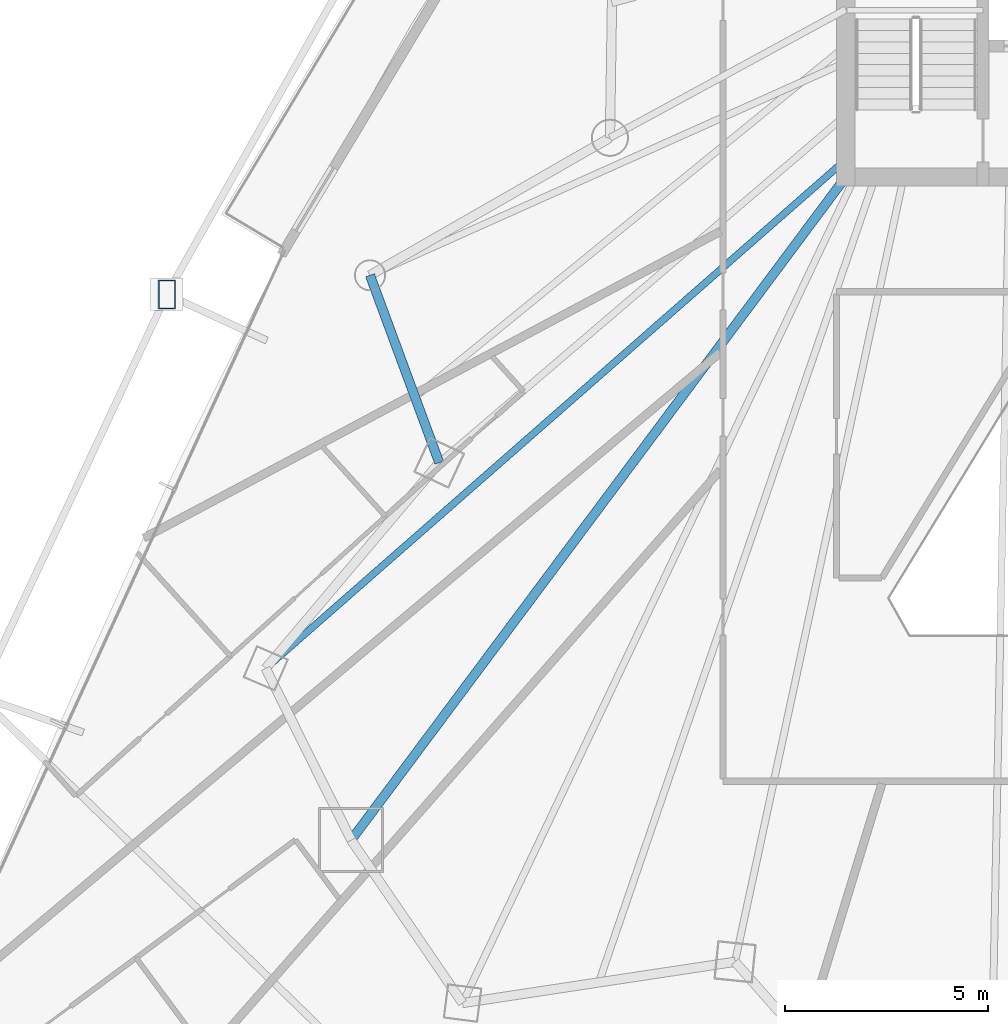
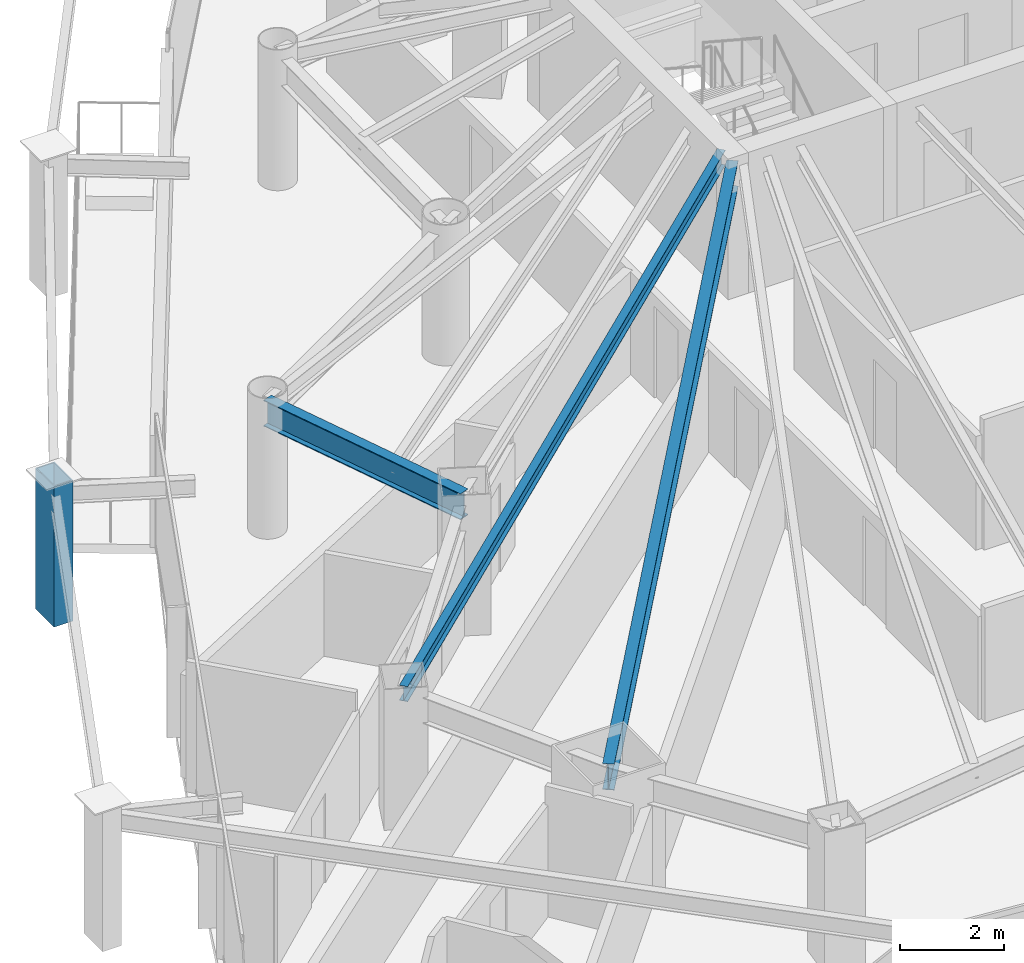
# One storey, part 10 of 38: 3 beams, 1 member.
"""IFC4 building model written with IfcOpenShell, lengths in metres."""

from ifc_helpers import new_model, si_unit, direction, frame, origin, origin_2d, place, context, subcontext, project, spatial, hollow_rectangle, i_section, extrude, material, material_profile, profile_set, type_object, element, save


model = new_model("IFC4")

# Units and contexts
model_context = context("Model", 3, precision=1e-05, world=origin(), true_north=direction((0.0, 1.0)))
body_context = subcontext(model_context, "Body", "Model", "MODEL_VIEW")
ifc_project = project(units=[si_unit("LENGTHUNIT", "METRE"), si_unit("AREAUNIT", "SQUARE_METRE"), si_unit("VOLUMEUNIT", "CUBIC_METRE"), si_unit("PLANEANGLEUNIT", "RADIAN"), si_unit("MASSUNIT", "GRAM", prefix="KILO")], contexts=[model_context])

# Site, building, storey
site_placement = place(None, origin())
site = spatial("IfcSite", under=ifc_project, at=site_placement, CompositionType="ELEMENT")
building_placement = place(site_placement, origin())
building = spatial("IfcBuilding", under=site, at=building_placement, Name="Orvanel Arch Residences", CompositionType="ELEMENT")
storey_placement = place(building_placement, frame((0.0, 0.0, 50.0)))
storey = spatial("IfcBuildingStorey", under=building, at=storey_placement, Name="L13", CompositionType="ELEMENT", Elevation=50.0)

# Beams
ifc_material_1 = material(Name="Structural steel AS/NZS 3679.1 Grade 300 (300 MPa)", Category="steel")
ifc_material_profile_1 = material_profile(ifc_material_1, i_section(OverallWidth=0.22900390625, OverallDepth=0.612060546875, WebThickness=0.011962890625, FlangeThickness=0.01953125, at=origin_2d()), Name="610UB125")
ifc_profile_set_1 = profile_set([ifc_material_profile_1], Name="Structural steel AS/NZS 3679.1 Grade 300 (300 MPa)")
beam_type_1 = type_object("IfcBeamType", Name="BG-610UB", PredefinedType="BEAM", material=ifc_profile_set_1)
beam_1_placement = place(storey_placement, frame((26.375, 26.675048828125, 2.75390625), z_axis=(-0.597893733742, -0.801575375839, 0.0), x_axis=(0.801575375839, -0.597893733742, 0.0)))
element("IfcBeam", 1, at=beam_1_placement, inside=storey, type_object=beam_type_1, Name="L13 South-West Radial Girder", PredefinedType="BEAM", context=body_context, shape_type="SweptSolid", body=[
    extrude(i_section(OverallWidth=0.22900390625, OverallDepth=0.612060546875, WebThickness=0.011962890625, FlangeThickness=0.01953125, at=origin_2d()), origin(), (0.0, 0.0, 1.0), 20.36474609375),
])
ifc_material_profile_2 = material_profile(ifc_material_1, i_section(OverallWidth=0.1708984375, OverallDepth=0.35595703125, WebThickness=0.00732421875, FlangeThickness=0.011474609375, at=origin_2d()), Name="360UB50.7")
ifc_profile_set_2 = profile_set([ifc_material_profile_2], Name="Structural steel AS/NZS 3679.1 Grade 300 (300 MPa)")
beam_type_2 = type_object("IfcBeamType", Name="BJ-360UB", PredefinedType="JOIST", material=ifc_profile_set_2)
beam_2_placement = place(storey_placement, frame((26.375, 27.10009765625, 2.882080078125), z_axis=(-0.751924114057, -0.659249669472, 0.0), x_axis=(0.659249669472, -0.751924114057, 0.0)))
element("IfcBeam", 2, at=beam_2_placement, inside=storey, type_object=beam_type_2, Name="L13 MW Wing Floor Joist", PredefinedType="JOIST", context=body_context, shape_type="SweptSolid", body=[
    extrude(i_section(OverallWidth=0.1708984375, OverallDepth=0.35595703125, WebThickness=0.00732421875, FlangeThickness=0.011474609375, at=origin_2d()), origin(), (0.0, 0.0, 1.0), 18.9912109375),
])

# Member
ifc_material_2 = material(Name="Structural steel AS/NZS 3678 Grade 350", Category="steel")
ifc_material_profile_3 = material_profile(ifc_material_2, hollow_rectangle(XDim=0.419921875, YDim=0.719970703125, WallThickness=0.02490234375, at=origin_2d()), Name="RHS720x420x25")
ifc_profile_set_3 = profile_set([ifc_material_profile_3], Name="Structural steel AS/NZS 3678 Grade 350")
member_type = type_object("IfcMemberType", Name="CH-720RHS-EXT", PredefinedType="CHORD", material=ifc_profile_set_3)
member_placement = place(storey_placement, frame((9.658935546875, 23.784912109375, 0.0), z_axis=(0.0, 0.0, 1.0), x_axis=(1.0, 0.0, 0.0)))
element("IfcMember", 3, at=member_placement, inside=storey, type_object=member_type, Name="L13 Outer Perimeter Frame Post 03", PredefinedType="CHORD", context=body_context, shape_type="SweptSolid", body=[
    extrude(hollow_rectangle(XDim=0.419921875, YDim=0.719970703125, WallThickness=0.02490234375, at=origin_2d()), origin(), (0.0, 0.0, 1.0), 3.300048828125),
])

# Beam
ifc_material_profile_4 = material_profile(ifc_material_1, i_section(OverallWidth=0.22900390625, OverallDepth=0.612060546875, WebThickness=0.011962890625, FlangeThickness=0.01953125, at=origin_2d()), Name="610UB125")
ifc_profile_set_4 = profile_set([ifc_material_profile_4], Name="Structural steel AS/NZS 3679.1 Grade 300 (300 MPa)")
beam_type_3 = type_object("IfcBeamType", Name="SP-610UB", PredefinedType="SPANDREL", material=ifc_profile_set_4)
beam_3_placement = place(storey_placement, frame((14.662109375, 24.256103515625, 2.75390625), z_axis=(0.346588434017, -0.938017301229, 0.0), x_axis=(0.938017301229, 0.346588434017, 0.0)))
element("IfcBeam", 4, at=beam_3_placement, inside=storey, type_object=beam_type_3, Name="L13 Perimeter Spandrel Beam 22", PredefinedType="SPANDREL", context=body_context, shape_type="SweptSolid", body=[
    extrude(i_section(OverallWidth=0.22900390625, OverallDepth=0.612060546875, WebThickness=0.011962890625, FlangeThickness=0.01953125, at=origin_2d()), origin(), (0.0, 0.0, 1.0), 4.9189453125),
])

save(model, "model.ifc")
